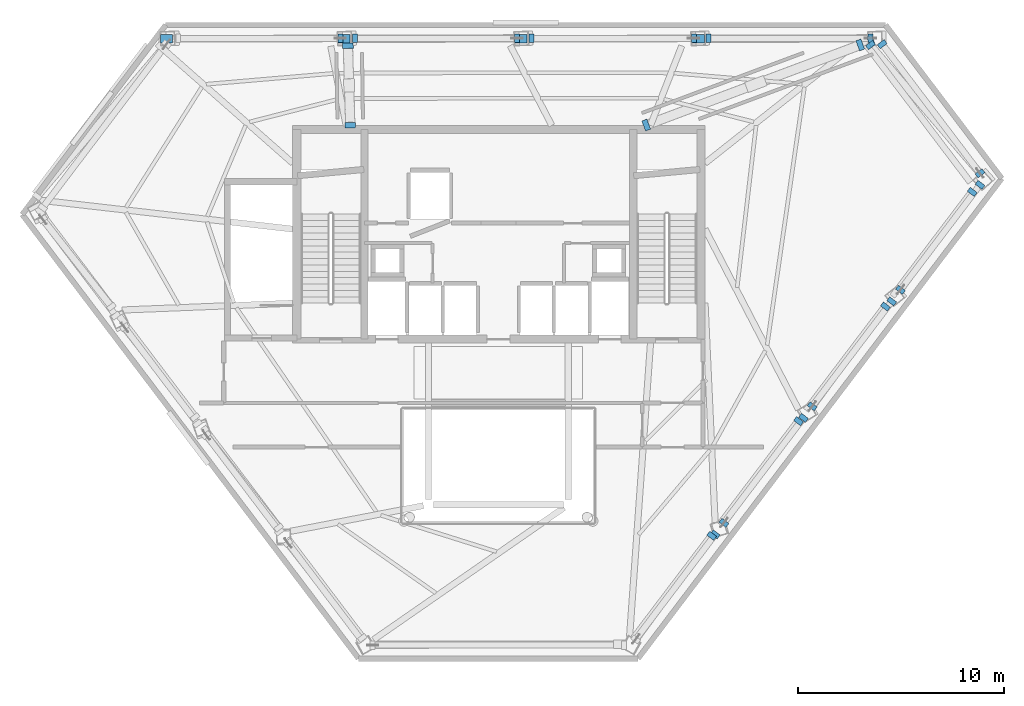
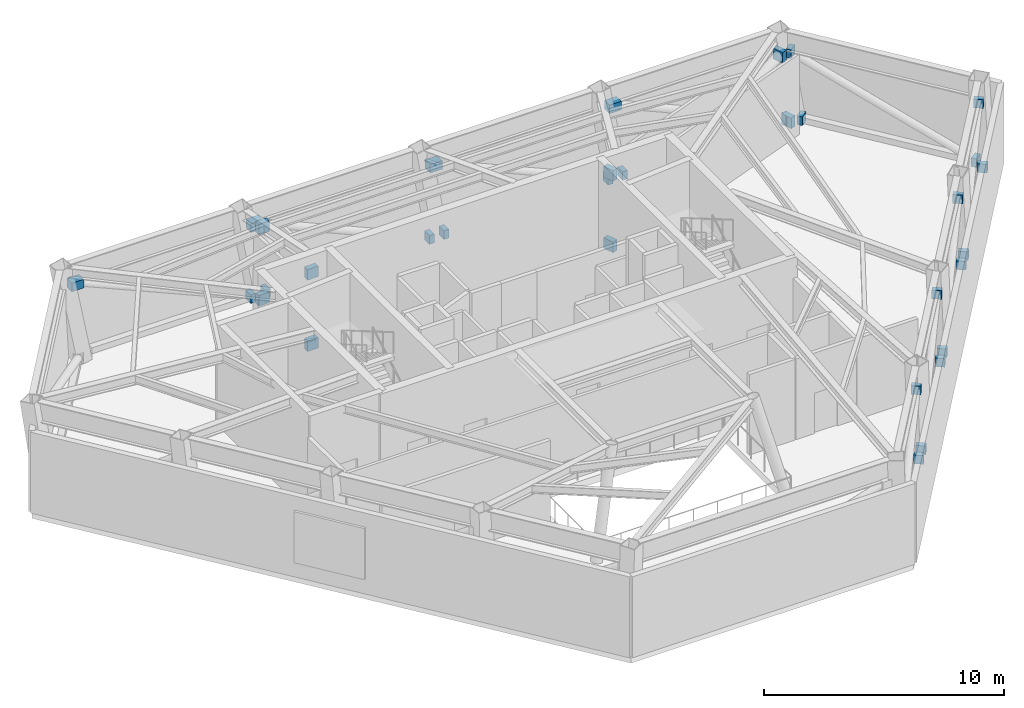
# One storey, part 7 of 10: 33 discrete accessories.
"""IFC4 building model written with IfcOpenShell, lengths in metres."""

from ifc_helpers import new_model, si_unit, direction, frame, origin, origin_2d, place, context, subcontext, project, spatial, rectangle, extrude, material, type_object, element, save


model = new_model("IFC4")

# Units and contexts
model_context = context("Model", 3, precision=1e-05, world=origin(), true_north=direction((0.0, 1.0)))
body_context = subcontext(model_context, "Body", "Model", "MODEL_VIEW")
ifc_project = project(units=[si_unit("LENGTHUNIT", "METRE"), si_unit("AREAUNIT", "SQUARE_METRE"), si_unit("VOLUMEUNIT", "CUBIC_METRE"), si_unit("PLANEANGLEUNIT", "RADIAN"), si_unit("MASSUNIT", "GRAM", prefix="KILO")], contexts=[model_context])

# Site, building, storey
site_placement = place(None, origin())
site = spatial("IfcSite", under=ifc_project, at=site_placement, CompositionType="ELEMENT")
building_placement = place(site_placement, origin())
building = spatial("IfcBuilding", under=site, at=building_placement, Name="Zarrinselat Tower", CompositionType="ELEMENT")
storey_placement = place(building_placement, frame((0.0, 0.0, 194.47998046875)))
storey = spatial("IfcBuildingStorey", under=building, at=storey_placement, Name="L48", CompositionType="ELEMENT", Elevation=194.47998046875)

# Discrete accessories
ifc_material = material(Name="Steel S460M", Category="steel")
discrete_accessory_type = type_object("IfcDiscreteAccessoryType", Name="ACC-BRACE-END", PredefinedType="BRACKET", material=ifc_material)
for number, where, z_axis, x_axis, name in (
    (1, (56.49951171875, 47.875244140625, 0.130126953125), (0.0, 0.0, 1.0), (-1.0, 0.0, 0.0), "L48 Belt Truss 1 End Gusset Bracket EA"),
    (2, (48.611083984375, 47.875244140625, 0.130126953125), (0.0, 0.0, 1.0), (-1.0, 0.0, 0.0), "L48 Belt Truss 1 End Gusset Bracket EB"),
):
    element("IfcDiscreteAccessory", number, at=place(storey_placement, frame(where, z_axis=z_axis, x_axis=x_axis)), inside=storey, type_object=discrete_accessory_type, Name=name, PredefinedType="BRACKET", context=body_context, shape_type="SweptSolid", body=[
        extrude(rectangle(XDim=0.239990234375, YDim=0.419921875, at=origin_2d()), origin(), (0.0, 0.0, 1.0), 0.43994140625),
    ])
discrete_accessory_1_placement = place(storey_placement, frame((48.134033203125, 47.847900390625, 3.761962890625), z_axis=(0.0, 0.0, 1.0), x_axis=(-1.0, 0.0, 0.0)))
element("IfcDiscreteAccessory", 3, at=discrete_accessory_1_placement, inside=storey, type_object=discrete_accessory_type, Name="L48 Belt Truss 1 End Gusset Bracket ET", PredefinedType="BRACKET", context=body_context, shape_type="SweptSolid", body=[
    extrude(rectangle(XDim=0.580078125, YDim=0.419921875, at=origin_2d()), origin(), (0.0, 0.0, 1.0), 0.43994140625),
])
for number, where, z_axis, x_axis, name in (
    (4, (47.9072265625, 47.875244140625, 0.130126953125), (0.0, 0.0, 1.0), (-1.0, 0.0, 0.0), "L48 Belt Truss 2 End Gusset Bracket EA"),
    (5, (40.01904296875, 47.875244140625, 0.130126953125), (0.0, 0.0, 1.0), (-1.0, 0.0, 0.0), "L48 Belt Truss 2 End Gusset Bracket EB"),
):
    element("IfcDiscreteAccessory", number, at=place(storey_placement, frame(where, z_axis=z_axis, x_axis=x_axis)), inside=storey, type_object=discrete_accessory_type, Name=name, PredefinedType="BRACKET", context=body_context, shape_type="SweptSolid", body=[
        extrude(rectangle(XDim=0.239990234375, YDim=0.419921875, at=origin_2d()), origin(), (0.0, 0.0, 1.0), 0.43994140625),
    ])
discrete_accessory_2_placement = place(storey_placement, frame((39.511962890625, 47.847900390625, 3.761962890625), z_axis=(0.0, 0.0, 1.0), x_axis=(-1.0, 0.0, 0.0)))
element("IfcDiscreteAccessory", 6, at=discrete_accessory_2_placement, inside=storey, type_object=discrete_accessory_type, Name="L48 Belt Truss 2 End Gusset Bracket ET", PredefinedType="BRACKET", context=body_context, shape_type="SweptSolid", body=[
    extrude(rectangle(XDim=0.580078125, YDim=0.419921875, at=origin_2d()), origin(), (0.0, 0.0, 1.0), 0.43994140625),
])
for number, where, z_axis, x_axis, name in (
    (7, (39.31494140625, 47.875244140625, 0.130126953125), (0.0, 0.0, 1.0), (-1.0, 0.0, 0.0), "L48 Belt Truss 3 End Gusset Bracket EA"),
    (8, (31.4267578125, 47.875244140625, 0.130126953125), (0.0, 0.0, 1.0), (-1.0, 0.0, 0.0), "L48 Belt Truss 3 End Gusset Bracket EB"),
):
    element("IfcDiscreteAccessory", number, at=place(storey_placement, frame(where, z_axis=z_axis, x_axis=x_axis)), inside=storey, type_object=discrete_accessory_type, Name=name, PredefinedType="BRACKET", context=body_context, shape_type="SweptSolid", body=[
        extrude(rectangle(XDim=0.239990234375, YDim=0.419921875, at=origin_2d()), origin(), (0.0, 0.0, 1.0), 0.43994140625),
    ])
discrete_accessory_3_placement = place(storey_placement, frame((30.889892578125, 47.847900390625, 3.761962890625), z_axis=(0.0, 0.0, 1.0), x_axis=(-1.0, 0.0, 0.0)))
element("IfcDiscreteAccessory", 9, at=discrete_accessory_3_placement, inside=storey, type_object=discrete_accessory_type, Name="L48 Belt Truss 3 End Gusset Bracket ET", PredefinedType="BRACKET", context=body_context, shape_type="SweptSolid", body=[
    extrude(rectangle(XDim=0.580078125, YDim=0.419921875, at=origin_2d()), origin(), (0.0, 0.0, 1.0), 0.43994140625),
])
discrete_accessory_4_placement = place(storey_placement, frame((30.722900390625, 47.875244140625, 0.130126953125), z_axis=(0.0, 0.0, 1.0), x_axis=(-1.0, 0.0, 0.0)))
element("IfcDiscreteAccessory", 10, at=discrete_accessory_4_placement, inside=storey, type_object=discrete_accessory_type, Name="L48 Belt Truss 4 End Gusset Bracket EA", PredefinedType="BRACKET", context=body_context, shape_type="SweptSolid", body=[
    extrude(rectangle(XDim=0.239990234375, YDim=0.419921875, at=origin_2d()), origin(), (0.0, 0.0, 1.0), 0.43994140625),
])
discrete_accessory_5_placement = place(storey_placement, frame((22.267578125, 47.847900390625, 3.761962890625), z_axis=(0.0, 0.0, 1.0), x_axis=(-1.0, 0.0, 0.0)))
element("IfcDiscreteAccessory", 11, at=discrete_accessory_5_placement, inside=storey, type_object=discrete_accessory_type, Name="L48 Belt Truss 4 End Gusset Bracket ET", PredefinedType="BRACKET", context=body_context, shape_type="SweptSolid", body=[
    extrude(rectangle(XDim=0.580078125, YDim=0.419921875, at=origin_2d()), origin(), (0.0, 0.0, 1.0), 0.43994140625),
])
for number, where, z_axis, x_axis, name in (
    (12, (48.945068359375, 23.75537109375, 0.130126953125), (0.0, 0.0, 1.0), (0.603856335801, 0.797093172542, 0.0), "L48 Belt Truss 11 End Gusset Bracket EB"),
    (13, (48.776611328125, 23.686767578125, 3.761962890625), (0.0, 0.0, 1.0), (0.603856335801, 0.797093172542, 0.0), "L48 Belt Truss 11 End Gusset Bracket ET"),
    (14, (49.370361328125, 24.31640625, 0.130126953125), (0.0, 0.0, 1.0), (0.603856335801, 0.797093172542, 0.0), "L48 Belt Truss 12 End Gusset Bracket EA"),
    (15, (53.2373046875, 29.421142578125, 0.130126953125), (0.0, 0.0, 1.0), (0.603856335801, 0.797093172542, 0.0), "L48 Belt Truss 12 End Gusset Bracket EB"),
    (16, (52.998779296875, 29.26025390625, 3.761962890625), (0.0, 0.0, 1.0), (0.603856335801, 0.797093172542, 0.0), "L48 Belt Truss 12 End Gusset Bracket ET"),
    (17, (53.66259765625, 29.982421875, 0.130126953125), (0.0, 0.0, 1.0), (0.603856335801, 0.797093172542, 0.0), "L48 Belt Truss 13 End Gusset Bracket EA"),
    (18, (57.529541015625, 35.0869140625, 0.130126953125), (0.0, 0.0, 1.0), (0.603856335801, 0.797093172542, 0.0), "L48 Belt Truss 13 End Gusset Bracket EB"),
    (19, (57.22119140625, 34.833984375, 3.761962890625), (0.0, 0.0, 1.0), (0.603856335801, 0.797093172542, 0.0), "L48 Belt Truss 13 End Gusset Bracket ET"),
    (20, (57.954833984375, 35.648193359375, 0.130126953125), (0.0, 0.0, 1.0), (0.603856335801, 0.797093172542, 0.0), "L48 Belt Truss 14 End Gusset Bracket EA"),
    (21, (61.822021484375, 40.752685546875, 0.130126953125), (0.0, 0.0, 1.0), (0.603856335801, 0.797093172542, 0.0), "L48 Belt Truss 14 End Gusset Bracket EB"),
    (22, (61.443603515625, 40.407470703125, 3.761962890625), (0.0, 0.0, 1.0), (0.603856335801, 0.797093172542, 0.0), "L48 Belt Truss 14 End Gusset Bracket ET"),
    (23, (61.822021484375, 41.31396484375, 0.130126953125), (0.0, 0.0, 1.0), (-0.603845299516, 0.797101533214, 0.0), "L48 Belt Truss 15 End Gusset Bracket EA"),
    (24, (57.06396484375, 47.5947265625, 0.130126953125), (0.0, 0.0, 1.0), (-0.603845299516, 0.797101533214, 0.0), "L48 Belt Truss 15 End Gusset Bracket EB"),
    (25, (56.49560546875, 47.544921875, 3.761962890625), (0.0, 0.0, 1.0), (-0.603845299516, 0.797101533214, 0.0), "L48 Belt Truss 15 End Gusset Bracket ET"),
):
    element("IfcDiscreteAccessory", number, at=place(storey_placement, frame(where, z_axis=z_axis, x_axis=x_axis)), inside=storey, type_object=discrete_accessory_type, Name=name, PredefinedType="BRACKET", context=body_context, shape_type="SweptSolid", body=[
        extrude(rectangle(XDim=0.239990234375, YDim=0.419921875, at=origin_2d()), origin(), (0.0, 0.0, 1.0), 0.43994140625),
    ])
for number, where, z_axis, x_axis, name in (
    (26, (31.2001953125, 43.652099609375, 0.080078125), (0.0, 0.0, 1.0), (-0.029712803492, 0.999558477183, 0.0), "L48 Outrigger NW End Gusset Bracket CB"),
    (27, (31.2001953125, 43.652099609375, 3.7119140625), (0.0, 0.0, 1.0), (-0.029712803492, 0.999558477183, 0.0), "L48 Outrigger NW End Gusset Bracket CT"),
    (28, (31.085205078125, 47.5234375, 0.080078125), (0.0, 0.0, 1.0), (-0.029712803492, 0.999558477183, 0.0), "L48 Outrigger NW End Gusset Bracket PB"),
    (29, (31.08544921875, 47.51611328125, 3.7119140625), (0.0, 0.0, 1.0), (-0.029712803492, 0.999558477183, 0.0), "L48 Outrigger NW End Gusset Bracket PT"),
    (30, (45.590576171875, 43.658447265625, 0.080078125), (0.0, 0.0, 1.0), (0.936493965051, 0.350683694265, 0.0), "L48 Outrigger NE End Gusset Bracket CB"),
    (31, (45.590576171875, 43.658447265625, 3.7119140625), (0.0, 0.0, 1.0), (0.936493965051, 0.350683694265, 0.0), "L48 Outrigger NE End Gusset Bracket CT"),
    (32, (56.521728515625, 47.751708984375, 0.080078125), (0.0, 0.0, 1.0), (0.936493965051, 0.350683694265, 0.0), "L48 Outrigger NE End Gusset Bracket PB"),
    (33, (55.99951171875, 47.55615234375, 3.7119140625), (0.0, 0.0, 1.0), (0.936493965051, 0.350683694265, 0.0), "L48 Outrigger NE End Gusset Bracket PT"),
):
    element("IfcDiscreteAccessory", number, at=place(storey_placement, frame(where, z_axis=z_axis, x_axis=x_axis)), inside=storey, type_object=discrete_accessory_type, Name=name, PredefinedType="BRACKET", context=body_context, shape_type="SweptSolid", body=[
        extrude(rectangle(XDim=0.260009765625, YDim=0.52001953125, at=origin_2d()), origin(), (0.0, 0.0, 1.0), 0.5400390625),
    ])

save(model, "model.ifc")
